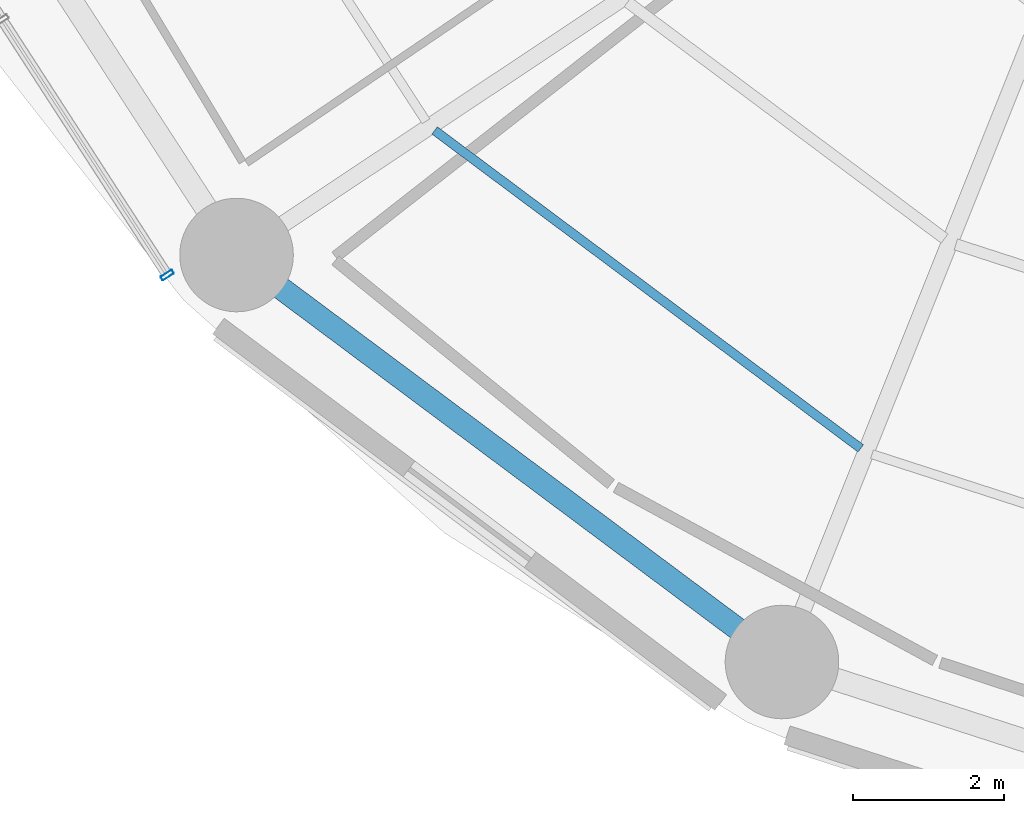
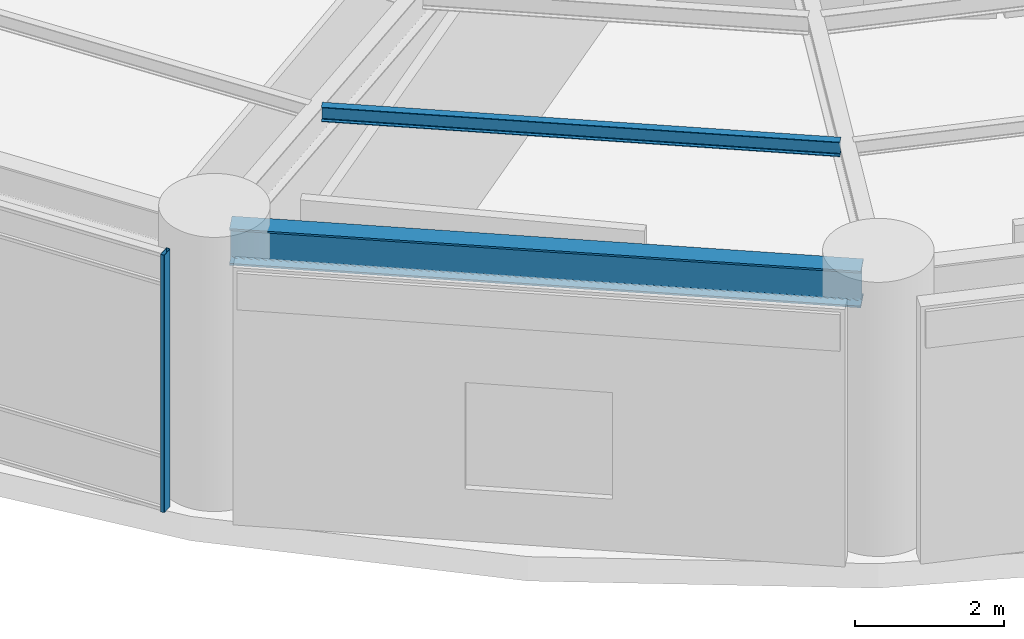
# One storey, part 9 of 46: 2 beams, 1 member, 1 element without a shape of its own.
"""IFC4 building model written with IfcOpenShell, lengths in metres."""

from ifc_helpers import new_model, si_unit, direction, frame, origin, origin_2d, place, context, subcontext, project, spatial, hollow_rectangle, i_section, extrude, material, layer, layer_set, material_profile, profile_set, type_object, element, aggregate, save


model = new_model("IFC4")

# Units and contexts
model_context = context("Model", 3, precision=1e-05, world=origin(), true_north=direction((0.0, 1.0)))
body_context = subcontext(model_context, "Body", "Model", "MODEL_VIEW")
ifc_project = project(units=[si_unit("LENGTHUNIT", "METRE"), si_unit("AREAUNIT", "SQUARE_METRE"), si_unit("VOLUMEUNIT", "CUBIC_METRE"), si_unit("PLANEANGLEUNIT", "RADIAN"), si_unit("MASSUNIT", "GRAM", prefix="KILO")], contexts=[model_context])

# Site, building, storey
site_placement = place(None, origin())
site = spatial("IfcSite", under=ifc_project, at=site_placement, CompositionType="ELEMENT")
building_placement = place(site_placement, origin())
building = spatial("IfcBuilding", under=site, at=building_placement, Name="Kelanora Arch Commons", CompositionType="ELEMENT")
storey_placement = place(building_placement, frame((0.0, 0.0, 18.0)))
storey = spatial("IfcBuildingStorey", under=building, at=storey_placement, Name="L04", CompositionType="ELEMENT", Elevation=18.0)

# Beams
ifc_material_1 = material(Name="Steel S355", Category="steel")
ifc_material_profile_1 = material_profile(ifc_material_1, i_section(OverallWidth=0.1201171875, OverallDepth=0.239990234375, WebThickness=0.006103515625, FlangeThickness=0.009765625, FilletRadius=0.014892578125, at=origin_2d()), Name="IPE240")
ifc_profile_set_1 = profile_set([ifc_material_profile_1], Name="Steel S355")
beam_type_1 = type_object("IfcBeamType", Name="BM-JST-02", PredefinedType="JOIST", material=ifc_profile_set_1)
beam_1_placement = place(storey_placement, frame((55.87255859375, 44.16650390625, 4.1201171875), z_axis=(0.80149131963, -0.598006408459, 0.0), x_axis=(0.598006408459, 0.80149131963, 0.0)))
element("IfcBeam", 1, at=beam_1_placement, inside=storey, type_object=beam_type_1, Name="Secondary Chord Joist BJC-22 L04", PredefinedType="JOIST", context=body_context, shape_type="SweptSolid", body=[
    extrude(i_section(OverallWidth=0.1201171875, OverallDepth=0.239990234375, WebThickness=0.006103515625, FlangeThickness=0.009765625, FilletRadius=0.014892578125, at=origin_2d()), origin(), (0.0, 0.0, 1.0), 7.021240234375),
])
ifc_material_profile_2 = material_profile(ifc_material_1, i_section(OverallWidth=0.300048828125, OverallDepth=0.60009765625, WebThickness=0.015380859375, FlangeThickness=0.030029296875, FilletRadius=0.027099609375, at=origin_2d()), Name="HEB600")
ifc_profile_set_2 = profile_set([ifc_material_profile_2], Name="Steel S355")
beam_type_2 = type_object("IfcBeamType", Name="BM-SPN-Z1", PredefinedType="SPANDREL", material=ifc_profile_set_2)
beam_2_placement = place(storey_placement, frame((53.431884765625, 42.39013671875, 3.93994140625), z_axis=(0.801474585329, -0.598028836322, 0.0), x_axis=(0.598028836322, 0.801474585329, 0.0)))
element("IfcBeam", 2, at=beam_2_placement, inside=storey, type_object=beam_type_2, Name="Perimeter Spandrel Beam BS-22 L04", PredefinedType="SPANDREL", context=body_context, shape_type="SweptSolid", body=[
    extrude(i_section(OverallWidth=0.300048828125, OverallDepth=0.60009765625, WebThickness=0.015380859375, FlangeThickness=0.030029296875, FilletRadius=0.027099609375, at=origin_2d()), origin(), (0.0, 0.0, 1.0), 8.549072265625),
])

# Curtain wall, member
ifc_material_2 = material(Name="Terracotta ceramic-fritted low-E glass and aluminium", Category="masonry")
ifc_layer = layer(ifc_material_2, 0.2099609375)
ifc_layer_set = layer_set([ifc_layer], Name="Terracotta ceramic-fritted low-E glass and aluminium")
curtain_wall_type = type_object("IfcCurtainWallType", Name="CW-SYS-04", PredefinedType="NOTDEFINED", material=ifc_layer_set)
curtain_wall_placement = place(storey_placement, origin())
curtain_wall = element("IfcCurtainWall", 3, at=curtain_wall_placement, inside=storey, type_object=curtain_wall_type, Name="Unitised Curtain Wall L04-B10", PredefinedType="NOTDEFINED")
ifc_material_3 = material(Name="Powder-coated aluminium terracotta", Category="masonry")
ifc_material_profile_3 = material_profile(ifc_material_3, hollow_rectangle(XDim=0.179931640625, YDim=0.06005859375, WallThickness=0.0048828125, InnerFilletRadius=0.0048828125, OuterFilletRadius=0.010009765625, at=origin_2d()), Name="CWM180x60")
ifc_profile_set_3 = profile_set([ifc_material_profile_3], Name="Powder-coated aluminium terracotta")
member_type = type_object("IfcMemberType", Name="CWM-HVY", PredefinedType="MULLION", material=ifc_profile_set_3)
member_placement = place(storey_placement, frame((52.340087890625, 42.25634765625, 0.0), z_axis=(0.0, 0.0, 1.0), x_axis=(0.839728582399, 0.54300636083, 0.0)))
member = element("IfcMember", 4, at=member_placement, type_object=member_type, Name="CW-04 mullion 3", PredefinedType="MULLION", context=body_context, shape_type="SweptSolid", body=[
    extrude(hollow_rectangle(XDim=0.179931640625, YDim=0.06005859375, WallThickness=0.0048828125, InnerFilletRadius=0.0048828125, OuterFilletRadius=0.010009765625, at=origin_2d()), origin(), (0.0, 0.0, 1.0), 4.22509765625),
])
aggregate(curtain_wall, [member])

save(model, "model.ifc")
